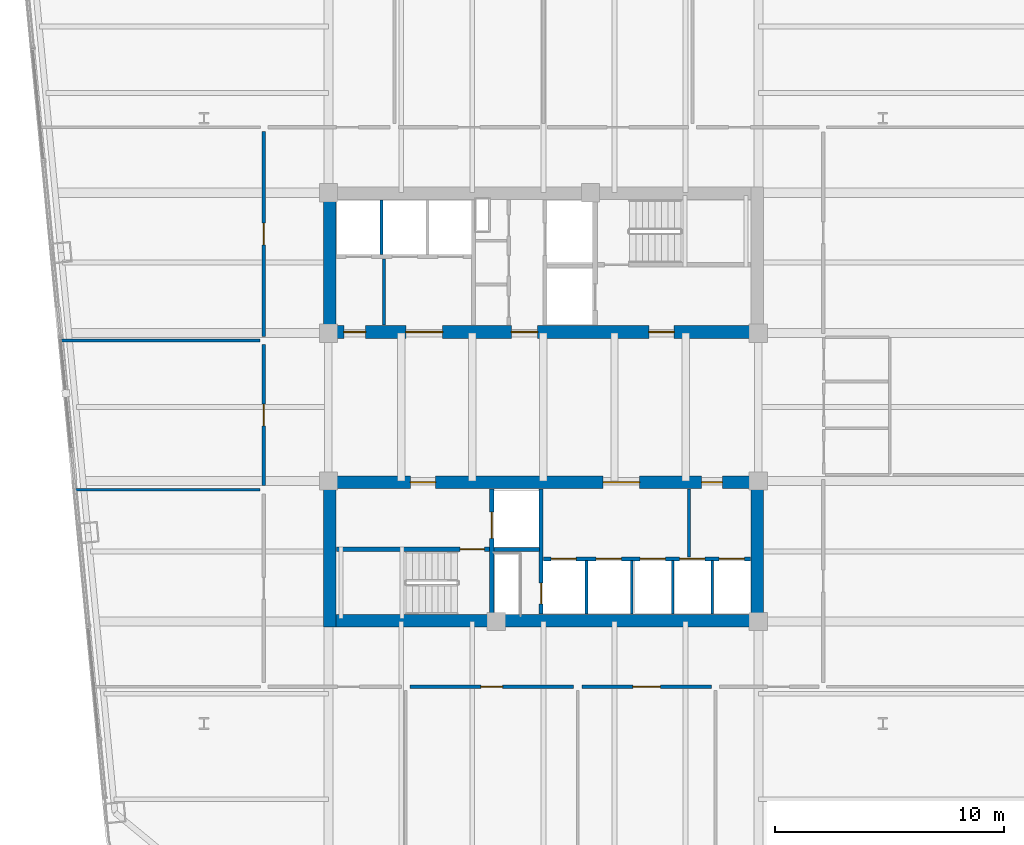
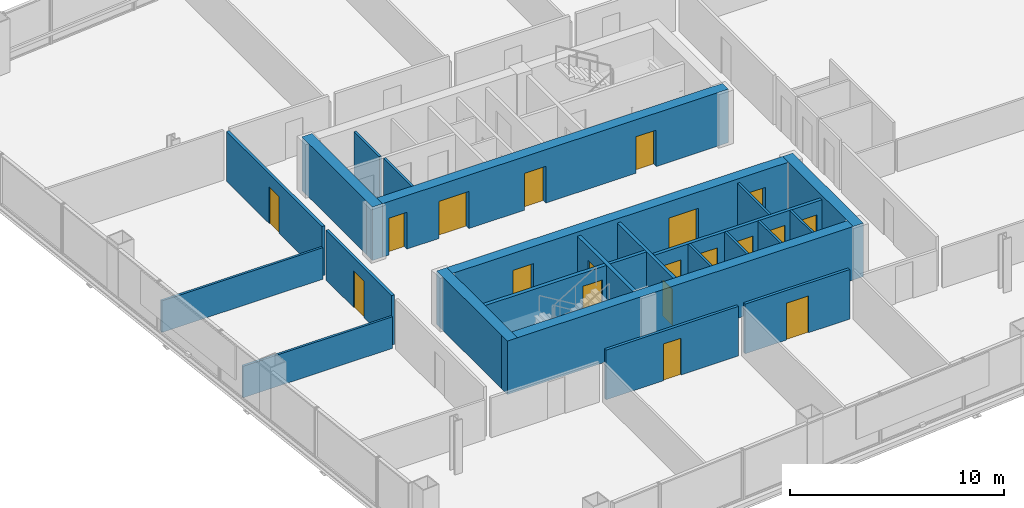
# One storey, part 27 of 32: 24 walls, 19 doors, 19 openings.
"""IFC4 building model written with IfcOpenShell, lengths in metres."""

from ifc_helpers import new_model, si_unit, direction, frame, frame_2d, origin, place, context, subcontext, project, spatial, rectangle, extrude, material, layer, layer_set, type_object, element, fill, save


model = new_model("IFC4")

# Units and contexts
model_context = context("Model", 3, precision=1e-05, world=origin(), true_north=direction((0.0, 1.0)))
body_context = subcontext(model_context, "Body", "Model", "MODEL_VIEW")
ifc_project = project(units=[si_unit("LENGTHUNIT", "METRE"), si_unit("AREAUNIT", "SQUARE_METRE"), si_unit("VOLUMEUNIT", "CUBIC_METRE"), si_unit("PLANEANGLEUNIT", "RADIAN"), si_unit("MASSUNIT", "GRAM", prefix="KILO")], contexts=[model_context])

# Site, building, storey
site_placement = place(None, origin())
site = spatial("IfcSite", under=ifc_project, at=site_placement, CompositionType="ELEMENT")
building_placement = place(site_placement, origin())
building = spatial("IfcBuilding", under=site, at=building_placement, Name="Qhalaya Broadcast Tower", CompositionType="ELEMENT")
storey_placement = place(building_placement, frame((0.0, 0.0, 87.75)))
storey = spatial("IfcBuildingStorey", under=building, at=storey_placement, Name="L25", CompositionType="ELEMENT", Elevation=87.75)

# Wall, opening, door
ifc_material_1 = material(Name="Gypsum Acoustic Partition")
ifc_layer_1 = layer(ifc_material_1, 0.14990234375, Name="Gypsum Acoustic Partition")
ifc_layer_set_1 = layer_set([ifc_layer_1], Name="Gypsum Acoustic Partition")
wall_type_1 = type_object("IfcWallType", Name="Corridor & Tenancy Acoustic Partition 150", PredefinedType="PARTITIONING", material=ifc_layer_set_1)
wall_1_placement = place(storey_placement, frame((-5.820068359375, -11.60009765625, 0.0), z_axis=(0.0, 0.0, 1.0), x_axis=(1.0, 0.0, 0.0)))
wall_1 = element("IfcWall", 1, at=wall_1_placement, inside=storey, type_object=wall_type_1, Name="L25 Partition Wall W-COR-06", PredefinedType="PARTITIONING", context=body_context, shape_type="SweptSolid", body=[
    extrude(rectangle(XDim=7.14013671875, YDim=0.14990234375, at=frame_2d((3.570068359375, 0.0))), origin(), (0.0, 0.0, 1.0), 2.830078125),
])
opening_1_placement = place(wall_1_placement, frame((3.094970703125, 0.0, 0.0)))
opening_1 = element("IfcOpeningElement", 2, at=opening_1_placement, cuts=wall_1, Name="Opening D10", PredefinedType="OPENING", context=body_context, shape_type="SweptSolid", body=[
    extrude(rectangle(XDim=0.949951171875, YDim=2.10009765625, at=frame_2d((0.47509765625, 1.050048828125))), frame((0.0, 0.0869140625, 0.0), z_axis=(0.0, -1.0, 0.0), x_axis=(1.0, 0.0, 0.0)), (0.0, 0.0, 1.0), 0.173828125),
])
ifc_material_2 = material(Name="Timber Veneer Acoustic Door", Category="wood")
door_type_1 = type_object("IfcDoorType", Name="Cellular Office & Edit Booth Door D10", OperationType="NOTDEFINED", PredefinedType="DOOR", material=ifc_material_2)
door_1_placement = place(opening_1_placement, origin())
door_1 = element("IfcDoor", 3, at=door_1_placement, inside=storey, type_object=door_type_1, Name="L25 Door D-RM06", OperationType="SINGLE_SWING_RIGHT", OverallHeight=2.10009765625, OverallWidth=0.949951171875, PredefinedType="DOOR", context=body_context, shape_type="SweptSolid", body=[
    extrude(rectangle(XDim=0.949951171875, YDim=2.10009765625, at=frame_2d((0.47509765625, 1.050048828125))), frame((0.0, 0.02490234375, 0.0), z_axis=(0.0, -1.0, 0.0), x_axis=(1.0, 0.0, 0.0)), (0.0, 0.0, 1.0), 0.050048828125),
])
fill(opening_1, door_1)

wall_2_placement = place(storey_placement, frame((1.679931640625, -11.60009765625, 0.0), z_axis=(0.0, 0.0, 1.0), x_axis=(1.0, 0.0, 0.0)))
wall_2 = element("IfcWall", 4, at=wall_2_placement, inside=storey, type_object=wall_type_1, Name="L25 Partition Wall W-COR-07", PredefinedType="PARTITIONING", context=body_context, shape_type="SweptSolid", body=[
    extrude(rectangle(XDim=5.64013671875, YDim=0.14990234375, at=frame_2d((2.820068359375, 0.0))), origin(), (0.0, 0.0, 1.0), 2.830078125),
])
opening_2_placement = place(wall_2_placement, frame((2.219970703125, 0.0, 0.0)))
opening_2 = element("IfcOpeningElement", 5, at=opening_2_placement, cuts=wall_2, Name="Opening D11", PredefinedType="OPENING", context=body_context, shape_type="SweptSolid", body=[
    extrude(rectangle(XDim=1.199951171875, YDim=2.10009765625, at=frame_2d((0.60009765625, 1.050048828125))), frame((0.0, 0.0869140625, 0.0), z_axis=(0.0, -1.0, 0.0), x_axis=(1.0, 0.0, 0.0)), (0.0, 0.0, 1.0), 0.173828125),
])
ifc_material_3 = material(Name="Anodised Aluminium Glazed Door", Category="aluminium")
door_type_2 = type_object("IfcDoorType", Name="Conference, Boardroom & Studio Control Door D11", OperationType="NOTDEFINED", PredefinedType="DOOR", material=ifc_material_3)
door_2_placement = place(opening_2_placement, origin())
door_2 = element("IfcDoor", 6, at=door_2_placement, inside=storey, type_object=door_type_2, Name="L25 Door D-RM07", OperationType="SINGLE_SWING_LEFT", OverallHeight=2.10009765625, OverallWidth=1.199951171875, PredefinedType="DOOR", context=body_context, shape_type="SweptSolid", body=[
    extrude(rectangle(XDim=1.199951171875, YDim=2.10009765625, at=frame_2d((0.60009765625, 1.050048828125))), frame((0.0, 0.02490234375, 0.0), z_axis=(0.0, -1.0, 0.0), x_axis=(1.0, 0.0, 0.0)), (0.0, 0.0, 1.0), 0.050048828125),
])
fill(opening_2, door_2)

wall_3_placement = place(storey_placement, frame((-12.199951171875, -2.820068359375, 0.0), z_axis=(0.0, 0.0, 1.0), x_axis=(0.0, 1.0, 0.0)))
wall_3 = element("IfcWall", 7, at=wall_3_placement, inside=storey, type_object=wall_type_1, Name="L25 Partition Wall W-COR-10", PredefinedType="PARTITIONING", context=body_context, shape_type="SweptSolid", body=[
    extrude(rectangle(XDim=6.14013671875, YDim=0.14990234375, at=frame_2d((3.070068359375, 0.0))), origin(), (0.0, 0.0, 1.0), 2.830078125),
])
opening_3_placement = place(wall_3_placement, frame((2.594970703125, 0.0, 0.0)))
opening_3 = element("IfcOpeningElement", 8, at=opening_3_placement, cuts=wall_3, Name="Opening D10", PredefinedType="OPENING", context=body_context, shape_type="SweptSolid", body=[
    extrude(rectangle(XDim=0.949951171875, YDim=2.10009765625, at=frame_2d((0.47509765625, 1.050048828125))), frame((0.0, 0.0869140625, 0.0), z_axis=(0.0, -1.0, 0.0), x_axis=(1.0, 0.0, 0.0)), (0.0, 0.0, 1.0), 0.173828125),
])
door_3_placement = place(opening_3_placement, origin())
door_3 = element("IfcDoor", 9, at=door_3_placement, inside=storey, type_object=door_type_1, Name="L25 Door D-RM10", OperationType="SINGLE_SWING_RIGHT", OverallHeight=2.10009765625, OverallWidth=0.949951171875, PredefinedType="DOOR", context=body_context, shape_type="SweptSolid", body=[
    extrude(rectangle(XDim=0.949951171875, YDim=2.10009765625, at=frame_2d((0.47509765625, 1.050048828125))), frame((0.0, 0.02490234375, 0.0), z_axis=(0.0, -1.0, 0.0), x_axis=(1.0, 0.0, 0.0)), (0.0, 0.0, 1.0), 0.050048828125),
])
fill(opening_3, door_3)

wall_4_placement = place(storey_placement, frame((-12.199951171875, 3.679931640625, 0.0), z_axis=(0.0, 0.0, 1.0), x_axis=(0.0, 1.0, 0.0)))
wall_4 = element("IfcWall", 10, at=wall_4_placement, inside=storey, type_object=wall_type_1, Name="L25 Partition Wall W-COR-11", PredefinedType="PARTITIONING", context=body_context, shape_type="SweptSolid", body=[
    extrude(rectangle(XDim=8.940185546875, YDim=0.14990234375, at=frame_2d((4.47021484375, 0.0))), origin(), (0.0, 0.0, 1.0), 2.830078125),
])
opening_4_placement = place(wall_4_placement, frame((3.9951171875, 0.0, 0.0)))
opening_4 = element("IfcOpeningElement", 11, at=opening_4_placement, cuts=wall_4, Name="Opening D10", PredefinedType="OPENING", context=body_context, shape_type="SweptSolid", body=[
    extrude(rectangle(XDim=0.949951171875, YDim=2.10009765625, at=frame_2d((0.47509765625, 1.050048828125))), frame((0.0, 0.0869140625, 0.0), z_axis=(0.0, -1.0, 0.0), x_axis=(1.0, 0.0, 0.0)), (0.0, 0.0, 1.0), 0.173828125),
])
door_4_placement = place(opening_4_placement, origin())
door_4 = element("IfcDoor", 12, at=door_4_placement, inside=storey, type_object=door_type_1, Name="L25 Door D-RM11", OperationType="SINGLE_SWING_LEFT", OverallHeight=2.10009765625, OverallWidth=0.949951171875, PredefinedType="DOOR", context=body_context, shape_type="SweptSolid", body=[
    extrude(rectangle(XDim=0.949951171875, YDim=2.10009765625, at=frame_2d((0.47509765625, 1.050048828125))), frame((0.0, 0.02490234375, 0.0), z_axis=(0.0, -1.0, 0.0), x_axis=(1.0, 0.0, 0.0)), (0.0, 0.0, 1.0), 0.050048828125),
])
fill(opening_4, door_4)

ifc_material_4 = material(Name="Concrete C50/60", Category="concrete")
ifc_layer_2 = layer(ifc_material_4, 0.199951171875, Name="Concrete C50/60")
ifc_layer_set_2 = layer_set([ifc_layer_2], Name="Concrete C50/60")
wall_type_2 = type_object("IfcWallType", Name="Load-Bearing Stair Shaft Wall 200", PredefinedType="SHEAR", material=ifc_layer_set_2)
wall_5_placement = place(storey_placement, frame((-9.030029296875, -5.60498046875, 0.0), z_axis=(0.0, 0.0, 1.0), x_axis=(1.0, 0.0, 0.0)))
wall_5 = element("IfcWall", 13, at=wall_5_placement, inside=storey, type_object=wall_type_2, Name="L25 Stair Core Shear Wall SCW-ST2", PredefinedType="SHEAR", context=body_context, shape_type="SweptSolid", body=[
    extrude(rectangle(XDim=6.669921875, YDim=0.199951171875, at=frame_2d((3.3349609375, 0.0))), origin(), (0.0, 0.0, 1.0), 2.830078125),
])
opening_5_placement = place(wall_5_placement, frame((5.39990234375, 0.0, 0.0)))
opening_5 = element("IfcOpeningElement", 14, at=opening_5_placement, cuts=wall_5, Name="Opening D03", PredefinedType="OPENING", context=body_context, shape_type="SweptSolid", body=[
    extrude(rectangle(XDim=1.050048828125, YDim=2.080078125, at=frame_2d((0.52490234375, 1.0400390625))), frame((0.0, 0.112060546875, 0.0), z_axis=(0.0, -1.0, 0.0), x_axis=(1.0, 0.0, 0.0)), (0.0, 0.0, 1.0), 0.223876953125),
])
ifc_material_5 = material(Name="Fire-Rated Steel Door", Category="steel")
door_type_3 = type_object("IfcDoorType", Name="Core Stair Protected Fire Door D03", OperationType="NOTDEFINED", PredefinedType="DOOR", material=ifc_material_5)
door_5_placement = place(opening_5_placement, origin())
door_5 = element("IfcDoor", 15, at=door_5_placement, inside=storey, type_object=door_type_3, Name="L25 Door D-SST2", OperationType="SINGLE_SWING_RIGHT", OverallHeight=2.080078125, OverallWidth=1.050048828125, PredefinedType="DOOR", context=body_context, shape_type="SweptSolid", body=[
    extrude(rectangle(XDim=1.050048828125, YDim=2.080078125, at=frame_2d((0.52490234375, 1.0400390625))), frame((0.0, 0.02490234375, 0.0), z_axis=(0.0, -1.0, 0.0), x_axis=(1.0, 0.0, 0.0)), (0.0, 0.0, 1.0), 0.050048828125),
])
fill(opening_5, door_5)

wall_6_placement = place(storey_placement, frame((-2.25, -8.429931640625, 0.0), z_axis=(0.0, 0.0, 1.0), x_axis=(0.0, 1.0, 0.0)))
wall_6 = element("IfcWall", 16, at=wall_6_placement, inside=storey, type_object=wall_type_2, Name="L25 Stair Core Shear Wall SCW-FF", PredefinedType="SHEAR", context=body_context, shape_type="SweptSolid", body=[
    extrude(rectangle(XDim=5.4599609375, YDim=0.199951171875, at=frame_2d((2.72998046875, 0.0))), origin(), (0.0, 0.0, 1.0), 2.830078125),
])
opening_6_placement = place(wall_6_placement, frame((3.300048828125, 0.0, 0.0)))
opening_6 = element("IfcOpeningElement", 17, at=opening_6_placement, cuts=wall_6, Name="Opening LD2", PredefinedType="OPENING", context=body_context, shape_type="SweptSolid", body=[
    extrude(rectangle(XDim=1.14990234375, YDim=2.080078125, at=frame_2d((0.574951171875, 1.0400390625))), frame((0.0, 0.112060546875, 0.0), z_axis=(0.0, -1.0, 0.0), x_axis=(1.0, 0.0, 0.0)), (0.0, 0.0, 1.0), 0.223876953125),
])
ifc_material_6 = material(Name="Brushed Stainless Steel Lift Door", Category="steel")
door_type_4 = type_object("IfcDoorType", Name="Firefighting Lift Sliding Landing Door LD2", OperationType="DOUBLE_DOOR_SLIDING", PredefinedType="DOOR", material=ifc_material_6)
door_6_placement = place(opening_6_placement, origin())
door_6 = element("IfcDoor", 18, at=door_6_placement, inside=storey, type_object=door_type_4, Name="L25 Door LD-FF2", OperationType="DOUBLE_DOOR_SLIDING", OverallHeight=2.080078125, OverallWidth=1.14990234375, PredefinedType="DOOR", context=body_context, shape_type="SweptSolid", body=[
    extrude(rectangle(XDim=1.14990234375, YDim=2.080078125, at=frame_2d((0.574951171875, 1.0400390625))), frame((0.0, 0.02490234375, 0.0), z_axis=(0.0, -1.0, 0.0), x_axis=(1.0, 0.0, 0.0)), (0.0, 0.0, 1.0), 0.050048828125),
])
fill(opening_6, door_6)

# Wall, openings, doors
ifc_material_7 = material(Name="Concrete C60/75", Category="concrete")
ifc_layer_3 = layer(ifc_material_7, 0.550048828125, Name="Concrete C60/75")
ifc_layer_set_3 = layer_set([ifc_layer_3], Name="Concrete C60/75")
wall_type_3 = type_object("IfcWallType", Name="Lower Split-Core Shear Wall 550", PredefinedType="SHEAR", material=ifc_layer_set_3)
wall_7_placement = place(storey_placement, frame((-9.60009765625, 3.875, 0.0), z_axis=(0.0, 0.0, 1.0), x_axis=(1.0, 0.0, 0.0)))
wall_7 = element("IfcWall", 19, at=wall_7_placement, inside=storey, type_object=wall_type_3, Name="L25 Split-Core Shear Wall CW-NS", PredefinedType="SHEAR", context=body_context, shape_type="SweptSolid", body=[
    extrude(rectangle(XDim=19.2001953125, YDim=0.550048828125, at=frame_2d((9.60009765625, 0.0))), origin(), (0.0, 0.0, 1.0), 3.050048828125),
])
opening_7_placement = place(wall_7_placement, frame((14.199951171875, 0.0, 0.0)))
opening_7 = element("IfcOpeningElement", 20, at=opening_7_placement, cuts=wall_7, Name="Opening D04", PredefinedType="OPENING", context=body_context, shape_type="SweptSolid", body=[
    extrude(rectangle(XDim=1.10009765625, YDim=2.080078125, at=frame_2d((0.550048828125, 1.0400390625))), frame((0.0, 0.287109375, 0.0), z_axis=(0.0, -1.0, 0.0), x_axis=(1.0, 0.0, 0.0)), (0.0, 0.0, 1.0), 0.573974609375),
])
opening_8_placement = place(wall_7_placement, frame((8.199951171875, 0.0, 0.0)))
opening_8 = element("IfcOpeningElement", 21, at=opening_8_placement, cuts=wall_7, Name="Opening D05", PredefinedType="OPENING", context=body_context, shape_type="SweptSolid", body=[
    extrude(rectangle(XDim=1.14990234375, YDim=2.10009765625, at=frame_2d((0.574951171875, 1.050048828125))), frame((0.0, 0.287109375, 0.0), z_axis=(0.0, -1.0, 0.0), x_axis=(1.0, 0.0, 0.0)), (0.0, 0.0, 1.0), 0.573974609375),
])
opening_9_placement = place(wall_7_placement, frame((0.89990234375, 0.0, 0.0)))
opening_9 = element("IfcOpeningElement", 22, at=opening_9_placement, cuts=wall_7, Name="Opening D10", PredefinedType="OPENING", context=body_context, shape_type="SweptSolid", body=[
    extrude(rectangle(XDim=0.949951171875, YDim=2.10009765625, at=frame_2d((0.47509765625, 1.050048828125))), frame((0.0, 0.287109375, 0.0), z_axis=(0.0, -1.0, 0.0), x_axis=(1.0, 0.0, 0.0)), (0.0, 0.0, 1.0), 0.573974609375),
])
opening_10_placement = place(wall_7_placement, frame((3.60009765625, 0.0, 0.0)))
opening_10 = element("IfcOpeningElement", 23, at=opening_10_placement, cuts=wall_7, Name="Opening D07", PredefinedType="OPENING", context=body_context, shape_type="SweptSolid", body=[
    extrude(rectangle(XDim=1.60009765625, YDim=2.1201171875, at=frame_2d((0.800048828125, 1.06005859375))), frame((0.0, 0.287109375, 0.0), z_axis=(0.0, -1.0, 0.0), x_axis=(1.0, 0.0, 0.0)), (0.0, 0.0, 1.0), 0.573974609375),
])
door_7_placement = place(opening_9_placement, origin())
door_7 = element("IfcDoor", 24, at=door_7_placement, inside=storey, type_object=door_type_1, Name="L25 Door D-NLPNT", OperationType="SINGLE_SWING_RIGHT", OverallHeight=2.10009765625, OverallWidth=0.949951171875, PredefinedType="DOOR", context=body_context, shape_type="SweptSolid", body=[
    extrude(rectangle(XDim=0.949951171875, YDim=2.10009765625, at=frame_2d((0.47509765625, 1.050048828125))), frame((0.0, 0.02490234375, 0.0), z_axis=(0.0, -1.0, 0.0), x_axis=(1.0, 0.0, 0.0)), (0.0, 0.0, 1.0), 0.050048828125),
])
fill(opening_9, door_7)
door_type_5 = type_object("IfcDoorType", Name="Firefighting Lobby Rated Door D04", OperationType="NOTDEFINED", PredefinedType="DOOR", material=ifc_material_5)
door_8_placement = place(opening_7_placement, origin())
door_8 = element("IfcDoor", 25, at=door_8_placement, inside=storey, type_object=door_type_5, Name="L25 Door D-NFF", OperationType="SINGLE_SWING_RIGHT", OverallHeight=2.080078125, OverallWidth=1.10009765625, PredefinedType="DOOR", context=body_context, shape_type="SweptSolid", body=[
    extrude(rectangle(XDim=1.10009765625, YDim=2.080078125, at=frame_2d((0.550048828125, 1.0400390625))), frame((0.0, 0.02490234375, 0.0), z_axis=(0.0, -1.0, 0.0), x_axis=(1.0, 0.0, 0.0)), (0.0, 0.0, 1.0), 0.050048828125),
])
fill(opening_7, door_8)
door_type_6 = type_object("IfcDoorType", Name="Passenger Lift Lobby Double Glazed Door D07", OperationType="DOUBLE_DOOR_SINGLE_SWING", PredefinedType="DOOR", material=ifc_material_3)
door_9_placement = place(opening_10_placement, origin())
door_9 = element("IfcDoor", 26, at=door_9_placement, inside=storey, type_object=door_type_6, Name="L25 Door D-NPLL", OperationType="DOUBLE_DOOR_SINGLE_SWING", OverallHeight=2.1201171875, OverallWidth=1.60009765625, PredefinedType="DOOR", context=body_context, shape_type="SweptSolid", body=[
    extrude(rectangle(XDim=1.60009765625, YDim=2.1201171875, at=frame_2d((0.800048828125, 1.06005859375))), frame((0.0, 0.02490234375, 0.0), z_axis=(0.0, -1.0, 0.0), x_axis=(1.0, 0.0, 0.0)), (0.0, 0.0, 1.0), 0.050048828125),
])
fill(opening_10, door_9)
door_type_7 = type_object("IfcDoorType", Name="Refuge & Plant Room Fire Door D05", OperationType="NOTDEFINED", PredefinedType="DOOR", material=ifc_material_5)
door_10_placement = place(opening_8_placement, origin())
door_10 = element("IfcDoor", 27, at=door_10_placement, inside=storey, type_object=door_type_7, Name="L25 Door D-NSVL", OperationType="SINGLE_SWING_LEFT", OverallHeight=2.10009765625, OverallWidth=1.14990234375, PredefinedType="DOOR", context=body_context, shape_type="SweptSolid", body=[
    extrude(rectangle(XDim=1.14990234375, YDim=2.10009765625, at=frame_2d((0.574951171875, 1.050048828125))), frame((0.0, 0.02490234375, 0.0), z_axis=(0.0, -1.0, 0.0), x_axis=(1.0, 0.0, 0.0)), (0.0, 0.0, 1.0), 0.050048828125),
])
fill(opening_8, door_10)

# Walls
wall_8_placement = place(storey_placement, frame((-9.324951171875, 3.60009765625, 0.0), z_axis=(0.0, 0.0, 1.0), x_axis=(0.0, 1.0, 0.0)))
element("IfcWall", 28, at=wall_8_placement, inside=storey, type_object=wall_type_3, Name="L25 Split-Core Shear Wall CW-NW", PredefinedType="SHEAR", context=body_context, shape_type="SweptSolid", body=[
    extrude(rectangle(XDim=6.599853515625, YDim=0.550048828125, at=frame_2d((3.2998046875, 0.0))), origin(), (0.0, 0.0, 1.0), 3.050048828125),
])
wall_9_placement = place(storey_placement, frame((-9.60009765625, -8.72509765625, 0.0), z_axis=(0.0, 0.0, 1.0), x_axis=(1.0, 0.0, 0.0)))
element("IfcWall", 29, at=wall_9_placement, inside=storey, type_object=wall_type_3, Name="L25 Split-Core Shear Wall CW-SS", PredefinedType="SHEAR", context=body_context, shape_type="SweptSolid", body=[
    extrude(rectangle(XDim=19.2001953125, YDim=0.550048828125, at=frame_2d((9.60009765625, 0.0))), origin(), (0.0, 0.0, 1.0), 3.050048828125),
])

# Wall, openings, doors
wall_10_placement = place(storey_placement, frame((-9.60009765625, -2.675048828125, 0.0), z_axis=(0.0, 0.0, 1.0), x_axis=(1.0, 0.0, 0.0)))
wall_10 = element("IfcWall", 30, at=wall_10_placement, inside=storey, type_object=wall_type_3, Name="L25 Split-Core Shear Wall CW-SN", PredefinedType="SHEAR", context=body_context, shape_type="SweptSolid", body=[
    extrude(rectangle(XDim=19.2001953125, YDim=0.550048828125, at=frame_2d((9.60009765625, 0.0))), origin(), (0.0, 0.0, 1.0), 3.050048828125),
])
opening_11_placement = place(wall_10_placement, frame((3.800048828125, 0.0, 0.0)))
opening_11 = element("IfcOpeningElement", 31, at=opening_11_placement, cuts=wall_10, Name="Opening D04", PredefinedType="OPENING", context=body_context, shape_type="SweptSolid", body=[
    extrude(rectangle(XDim=1.10009765625, YDim=2.080078125, at=frame_2d((0.550048828125, 1.0400390625))), frame((0.0, 0.287109375, 0.0), z_axis=(0.0, -1.0, 0.0), x_axis=(1.0, 0.0, 0.0)), (0.0, 0.0, 1.0), 0.573974609375),
])
opening_12_placement = place(wall_10_placement, frame((12.199951171875, 0.0, 0.0)))
opening_12 = element("IfcOpeningElement", 32, at=opening_12_placement, cuts=wall_10, Name="Opening D07", PredefinedType="OPENING", context=body_context, shape_type="SweptSolid", body=[
    extrude(rectangle(XDim=1.60009765625, YDim=2.1201171875, at=frame_2d((0.800048828125, 1.06005859375))), frame((0.0, 0.287109375, 0.0), z_axis=(0.0, -1.0, 0.0), x_axis=(1.0, 0.0, 0.0)), (0.0, 0.0, 1.0), 0.573974609375),
])
opening_13_placement = place(wall_10_placement, frame((16.5, 0.0, 0.0)))
opening_13 = element("IfcOpeningElement", 33, at=opening_13_placement, cuts=wall_10, Name="Opening D06", PredefinedType="OPENING", context=body_context, shape_type="SweptSolid", body=[
    extrude(rectangle(XDim=0.89990234375, YDim=2.050048828125, at=frame_2d((0.449951171875, 1.02490234375))), frame((0.0, 0.287109375, 0.0), z_axis=(0.0, -1.0, 0.0), x_axis=(1.0, 0.0, 0.0)), (0.0, 0.0, 1.0), 0.573974609375),
])
door_11_placement = place(opening_11_placement, origin())
door_11 = element("IfcDoor", 34, at=door_11_placement, inside=storey, type_object=door_type_5, Name="L25 Door D-SFF", OperationType="SINGLE_SWING_LEFT", OverallHeight=2.080078125, OverallWidth=1.10009765625, PredefinedType="DOOR", context=body_context, shape_type="SweptSolid", body=[
    extrude(rectangle(XDim=1.10009765625, YDim=2.080078125, at=frame_2d((0.550048828125, 1.0400390625))), frame((0.0, 0.02490234375, 0.0), z_axis=(0.0, -1.0, 0.0), x_axis=(1.0, 0.0, 0.0)), (0.0, 0.0, 1.0), 0.050048828125),
])
fill(opening_11, door_11)
door_12_placement = place(opening_12_placement, origin())
door_12 = element("IfcDoor", 35, at=door_12_placement, inside=storey, type_object=door_type_6, Name="L25 Door D-SPLL", OperationType="DOUBLE_DOOR_SINGLE_SWING", OverallHeight=2.1201171875, OverallWidth=1.60009765625, PredefinedType="DOOR", context=body_context, shape_type="SweptSolid", body=[
    extrude(rectangle(XDim=1.60009765625, YDim=2.1201171875, at=frame_2d((0.800048828125, 1.06005859375))), frame((0.0, 0.02490234375, 0.0), z_axis=(0.0, -1.0, 0.0), x_axis=(1.0, 0.0, 0.0)), (0.0, 0.0, 1.0), 0.050048828125),
])
fill(opening_12, door_12)
door_type_8 = type_object("IfcDoorType", Name="Riser & Electrical Shaft Access Door D06", OperationType="NOTDEFINED", PredefinedType="DOOR", material=ifc_material_5)
door_13_placement = place(opening_13_placement, origin())
door_13 = element("IfcDoor", 36, at=door_13_placement, inside=storey, type_object=door_type_8, Name="L25 Door D-SSCST", OperationType="SINGLE_SWING_LEFT", OverallHeight=2.050048828125, OverallWidth=0.89990234375, PredefinedType="DOOR", context=body_context, shape_type="SweptSolid", body=[
    extrude(rectangle(XDim=0.89990234375, YDim=2.050048828125, at=frame_2d((0.449951171875, 1.02490234375))), frame((0.0, 0.02490234375, 0.0), z_axis=(0.0, -1.0, 0.0), x_axis=(1.0, 0.0, 0.0)), (0.0, 0.0, 1.0), 0.050048828125),
])
fill(opening_13, door_13)

# Walls
for number, where, z_axis, x_axis, name in (
    (37, (-9.324951171875, -9.0, 0.0), (0.0, 0.0, 1.0), (0.0, 1.0, 0.0), "L25 Split-Core Shear Wall CW-SW"),
    (38, (9.324951171875, -9.0, 0.0), (0.0, 0.0, 1.0), (0.0, 1.0, 0.0), "L25 Split-Core Shear Wall CW-SE"),
):
    element("IfcWall", number, at=place(storey_placement, frame(where, z_axis=z_axis, x_axis=x_axis)), inside=storey, type_object=wall_type_3, Name=name, PredefinedType="SHEAR", context=body_context, shape_type="SweptSolid", body=[
        extrude(rectangle(XDim=6.60009765625, YDim=0.550048828125, at=frame_2d((3.300048828125, 0.0))), origin(), (0.0, 0.0, 1.0), 3.050048828125),
    ])
ifc_layer_4 = layer(ifc_material_1, 0.1201171875, Name="Gypsum Acoustic Partition")
ifc_layer_set_4 = layer_set([ifc_layer_4], Name="Gypsum Acoustic Partition")
wall_type_4 = type_object("IfcWallType", Name="Office, Booth & Sanitary Partition 120", PredefinedType="PARTITIONING", material=ifc_layer_set_4)
wall_11_placement = place(storey_placement, frame((-7.06005859375, 7.25, 0.0), z_axis=(0.0, 0.0, 1.0), x_axis=(0.0, 1.0, 0.0)))
element("IfcWall", 39, at=wall_11_placement, inside=storey, type_object=wall_type_4, Name="L25 Partition Wall NCW-PD1", PredefinedType="PARTITIONING", context=body_context, shape_type="SweptSolid", body=[
    extrude(rectangle(XDim=2.3798828125, YDim=0.1201171875, at=frame_2d((1.18994140625, 0.0))), origin(), (0.0, 0.0, 1.0), 2.830078125),
])
wall_12_placement = place(storey_placement, frame((-6.949951171875, 4.169921875, 0.0), z_axis=(0.0, 0.0, 1.0), x_axis=(0.0, 1.0, 0.0)))
element("IfcWall", 40, at=wall_12_placement, inside=storey, type_object=wall_type_4, Name="L25 Partition Wall NCW-LKB", PredefinedType="PARTITIONING", context=body_context, shape_type="SweptSolid", body=[
    extrude(rectangle(XDim=2.89013671875, YDim=0.1201171875, at=frame_2d((1.445068359375, 0.0))), origin(), (0.0, 0.0, 1.0), 2.830078125),
])
for number, where, z_axis, x_axis, name in (
    (41, (1.8798828125, -8.429931640625, 0.0), (0.0, 0.0, 1.0), (0.0, 1.0, 0.0), "L25 Partition Wall SCW-MD4"),
    (42, (3.85009765625, -8.429931640625, 0.0), (0.0, 0.0, 1.0), (0.0, 1.0, 0.0), "L25 Partition Wall SCW-MD5"),
    (43, (5.639892578125, -8.429931640625, 0.0), (0.0, 0.0, 1.0), (0.0, 1.0, 0.0), "L25 Partition Wall SCW-HD6"),
    (44, (7.360107421875, -8.429931640625, 0.0), (0.0, 0.0, 1.0), (0.0, 1.0, 0.0), "L25 Partition Wall SCW-HD7"),
):
    element("IfcWall", number, at=place(storey_placement, frame(where, z_axis=z_axis, x_axis=x_axis)), inside=storey, type_object=wall_type_4, Name=name, PredefinedType="PARTITIONING", context=body_context, shape_type="SweptSolid", body=[
        extrude(rectangle(XDim=2.329833984375, YDim=0.1201171875, at=frame_2d((1.1650390625, 0.0))), origin(), (0.0, 0.0, 1.0), 2.830078125),
    ])
wall_13_placement = place(storey_placement, frame((6.35009765625, -5.93994140625, 0.0), z_axis=(0.0, 0.0, 1.0), x_axis=(0.0, 1.0, 0.0)))
element("IfcWall", 45, at=wall_13_placement, inside=storey, type_object=wall_type_4, Name="L25 Partition Wall SCW-LKB", PredefinedType="PARTITIONING", context=body_context, shape_type="SweptSolid", body=[
    extrude(rectangle(XDim=2.969970703125, YDim=0.1201171875, at=frame_2d((1.48486328125, 0.0))), origin(), (0.0, 0.0, 1.0), 2.830078125),
])
wall_14_placement = place(storey_placement, frame((-20.423583984375, -3.0, 0.0), z_axis=(0.0, 0.0, 1.0), x_axis=(1.0, 0.0, 0.0)))
element("IfcWall", 46, at=wall_14_placement, inside=storey, type_object=wall_type_4, Name="L25 Partition Wall W-DIVW1", PredefinedType="PARTITIONING", context=body_context, shape_type="SweptSolid", body=[
    extrude(rectangle(XDim=8.0634765625, YDim=0.1201171875, at=frame_2d((4.03173828125, 0.0))), origin(), (0.0, 0.0, 1.0), 1.799072265625),
])
wall_15_placement = place(storey_placement, frame((-21.04931640625, 3.5, 0.0), z_axis=(0.0, 0.0, 1.0), x_axis=(1.0, 0.0, 0.0)))
element("IfcWall", 47, at=wall_15_placement, inside=storey, type_object=wall_type_4, Name="L25 Partition Wall W-DIVW2", PredefinedType="PARTITIONING", context=body_context, shape_type="SweptSolid", body=[
    extrude(rectangle(XDim=8.689208984375, YDim=0.1201171875, at=frame_2d((4.3447265625, 0.0))), origin(), (0.0, 0.0, 1.0), 1.799072265625),
])

# Wall, opening, door
ifc_layer_5 = layer(ifc_material_1, 0.175048828125, Name="Gypsum Acoustic Partition")
ifc_layer_set_5 = layer_set([ifc_layer_5], Name="Gypsum Acoustic Partition")
wall_type_5 = type_object("IfcWallType", Name="Shaft & Riser Fire Partition 175", PredefinedType="PARTITIONING", material=ifc_layer_set_5)
wall_16_placement = place(storey_placement, frame((-0.10009765625, -8.429931640625, 0.0), z_axis=(0.0, 0.0, 1.0), x_axis=(0.0, 1.0, 0.0)))
wall_16 = element("IfcWall", 48, at=wall_16_placement, inside=storey, type_object=wall_type_5, Name="L25 Partition Wall SCW-FFE", PredefinedType="PARTITIONING", context=body_context, shape_type="SweptSolid", body=[
    extrude(rectangle(XDim=5.4599609375, YDim=0.175048828125, at=frame_2d((2.72998046875, 0.0))), origin(), (0.0, 0.0, 1.0), 2.830078125),
])
opening_14_placement = place(wall_16_placement, frame((0.449951171875, 0.0, 0.0)))
opening_14 = element("IfcOpeningElement", 49, at=opening_14_placement, cuts=wall_16, Name="Opening D06", PredefinedType="OPENING", context=body_context, shape_type="SweptSolid", body=[
    extrude(rectangle(XDim=0.89990234375, YDim=2.050048828125, at=frame_2d((0.449951171875, 1.02490234375))), frame((0.0, 0.099609375, 0.0), z_axis=(0.0, -1.0, 0.0), x_axis=(1.0, 0.0, 0.0)), (0.0, 0.0, 1.0), 0.198974609375),
])
door_14_placement = place(opening_14_placement, origin())
door_14 = element("IfcDoor", 50, at=door_14_placement, inside=storey, type_object=door_type_8, Name="L25 Riser Shaft Access Door D-SRSR", OperationType="SINGLE_SWING_LEFT", OverallHeight=2.050048828125, OverallWidth=0.89990234375, PredefinedType="DOOR", context=body_context, shape_type="SweptSolid", body=[
    extrude(rectangle(XDim=0.89990234375, YDim=2.050048828125, at=frame_2d((0.449951171875, 1.02490234375))), frame((0.0, 0.02490234375, 0.0), z_axis=(0.0, -1.0, 0.0), x_axis=(1.0, 0.0, 0.0)), (0.0, 0.0, 1.0), 0.050048828125),
])
fill(opening_14, door_14)

# Wall
wall_17_placement = place(storey_placement, frame((-2.14990234375, -5.60009765625, 0.0), z_axis=(0.0, 0.0, 1.0), x_axis=(1.0, 0.0, 0.0)))
element("IfcWall", 51, at=wall_17_placement, inside=storey, type_object=wall_type_5, Name="L25 Partition Wall SCW-FFM", PredefinedType="PARTITIONING", context=body_context, shape_type="SweptSolid", body=[
    extrude(rectangle(XDim=1.969970703125, YDim=0.175048828125, at=frame_2d((0.98486328125, 0.0))), origin(), (0.0, 0.0, 1.0), 2.830078125),
])

# Wall, openings, doors
wall_18_placement = place(storey_placement, frame((0.0, -6.02001953125, 0.0), z_axis=(0.0, 0.0, 1.0), x_axis=(1.0, 0.0, 0.0)))
wall_18 = element("IfcWall", 52, at=wall_18_placement, inside=storey, type_object=wall_type_5, Name="L25 Partition Wall SCW-SLB", PredefinedType="PARTITIONING", context=body_context, shape_type="SweptSolid", body=[
    extrude(rectangle(XDim=9.030029296875, YDim=0.175048828125, at=frame_2d((4.51513671875, 0.0))), origin(), (0.0, 0.0, 1.0), 2.830078125),
])
opening_15_placement = place(wall_18_placement, frame((0.330078125, 0.0, 0.0)))
opening_15 = element("IfcOpeningElement", 53, at=opening_15_placement, cuts=wall_18, Name="Opening LD1", PredefinedType="OPENING", context=body_context, shape_type="SweptSolid", body=[
    extrude(rectangle(XDim=1.10009765625, YDim=2.06005859375, at=frame_2d((0.550048828125, 1.030029296875))), frame((0.0, 0.099609375, 0.0), z_axis=(0.0, -1.0, 0.0), x_axis=(1.0, 0.0, 0.0)), (0.0, 0.0, 1.0), 0.198974609375),
])
opening_16_placement = place(wall_18_placement, frame((2.300048828125, 0.0, 0.0)))
opening_16 = element("IfcOpeningElement", 54, at=opening_16_placement, cuts=wall_18, Name="Opening LD1", PredefinedType="OPENING", context=body_context, shape_type="SweptSolid", body=[
    extrude(rectangle(XDim=1.10009765625, YDim=2.06005859375, at=frame_2d((0.550048828125, 1.030029296875))), frame((0.0, 0.099609375, 0.0), z_axis=(0.0, -1.0, 0.0), x_axis=(1.0, 0.0, 0.0)), (0.0, 0.0, 1.0), 0.198974609375),
])
opening_17_placement = place(wall_18_placement, frame((4.219970703125, 0.0, 0.0)))
opening_17 = element("IfcOpeningElement", 55, at=opening_17_placement, cuts=wall_18, Name="Opening LD1", PredefinedType="OPENING", context=body_context, shape_type="SweptSolid", body=[
    extrude(rectangle(XDim=1.10009765625, YDim=2.06005859375, at=frame_2d((0.550048828125, 1.030029296875))), frame((0.0, 0.099609375, 0.0), z_axis=(0.0, -1.0, 0.0), x_axis=(1.0, 0.0, 0.0)), (0.0, 0.0, 1.0), 0.198974609375),
])
opening_18_placement = place(wall_18_placement, frame((5.93994140625, 0.0, 0.0)))
opening_18 = element("IfcOpeningElement", 56, at=opening_18_placement, cuts=wall_18, Name="Opening LD1", PredefinedType="OPENING", context=body_context, shape_type="SweptSolid", body=[
    extrude(rectangle(XDim=1.10009765625, YDim=2.06005859375, at=frame_2d((0.550048828125, 1.030029296875))), frame((0.0, 0.099609375, 0.0), z_axis=(0.0, -1.0, 0.0), x_axis=(1.0, 0.0, 0.0)), (0.0, 0.0, 1.0), 0.198974609375),
])
opening_19_placement = place(wall_18_placement, frame((7.659912109375, 0.0, 0.0)))
opening_19 = element("IfcOpeningElement", 57, at=opening_19_placement, cuts=wall_18, Name="Opening LD1", PredefinedType="OPENING", context=body_context, shape_type="SweptSolid", body=[
    extrude(rectangle(XDim=1.10009765625, YDim=2.06005859375, at=frame_2d((0.550048828125, 1.030029296875))), frame((0.0, 0.099609375, 0.0), z_axis=(0.0, -1.0, 0.0), x_axis=(1.0, 0.0, 0.0)), (0.0, 0.0, 1.0), 0.198974609375),
])
door_type_9 = type_object("IfcDoorType", Name="Passenger Lift Sliding Landing Door LD1", OperationType="DOUBLE_DOOR_SLIDING", PredefinedType="DOOR", material=ifc_material_6)
door_15_placement = place(opening_15_placement, origin())
door_15 = element("IfcDoor", 58, at=door_15_placement, inside=storey, type_object=door_type_9, Name="L25 Door LD-P4", OperationType="DOUBLE_DOOR_SLIDING", OverallHeight=2.06005859375, OverallWidth=1.10009765625, PredefinedType="DOOR", context=body_context, shape_type="SweptSolid", body=[
    extrude(rectangle(XDim=1.10009765625, YDim=2.06005859375, at=frame_2d((0.550048828125, 1.030029296875))), frame((0.0, 0.02490234375, 0.0), z_axis=(0.0, -1.0, 0.0), x_axis=(1.0, 0.0, 0.0)), (0.0, 0.0, 1.0), 0.050048828125),
])
fill(opening_15, door_15)
door_16_placement = place(opening_16_placement, origin())
door_16 = element("IfcDoor", 59, at=door_16_placement, inside=storey, type_object=door_type_9, Name="L25 Door LD-P5", OperationType="DOUBLE_DOOR_SLIDING", OverallHeight=2.06005859375, OverallWidth=1.10009765625, PredefinedType="DOOR", context=body_context, shape_type="SweptSolid", body=[
    extrude(rectangle(XDim=1.10009765625, YDim=2.06005859375, at=frame_2d((0.550048828125, 1.030029296875))), frame((0.0, 0.02490234375, 0.0), z_axis=(0.0, -1.0, 0.0), x_axis=(1.0, 0.0, 0.0)), (0.0, 0.0, 1.0), 0.050048828125),
])
fill(opening_16, door_16)
door_17_placement = place(opening_17_placement, origin())
door_17 = element("IfcDoor", 60, at=door_17_placement, inside=storey, type_object=door_type_9, Name="L25 Door LD-P6", OperationType="DOUBLE_DOOR_SLIDING", OverallHeight=2.06005859375, OverallWidth=1.10009765625, PredefinedType="DOOR", context=body_context, shape_type="SweptSolid", body=[
    extrude(rectangle(XDim=1.10009765625, YDim=2.06005859375, at=frame_2d((0.550048828125, 1.030029296875))), frame((0.0, 0.02490234375, 0.0), z_axis=(0.0, -1.0, 0.0), x_axis=(1.0, 0.0, 0.0)), (0.0, 0.0, 1.0), 0.050048828125),
])
fill(opening_17, door_17)
door_18_placement = place(opening_18_placement, origin())
door_18 = element("IfcDoor", 61, at=door_18_placement, inside=storey, type_object=door_type_9, Name="L25 Door LD-P7", OperationType="DOUBLE_DOOR_SLIDING", OverallHeight=2.06005859375, OverallWidth=1.10009765625, PredefinedType="DOOR", context=body_context, shape_type="SweptSolid", body=[
    extrude(rectangle(XDim=1.10009765625, YDim=2.06005859375, at=frame_2d((0.550048828125, 1.030029296875))), frame((0.0, 0.02490234375, 0.0), z_axis=(0.0, -1.0, 0.0), x_axis=(1.0, 0.0, 0.0)), (0.0, 0.0, 1.0), 0.050048828125),
])
fill(opening_18, door_18)
door_19_placement = place(opening_19_placement, origin())
door_19 = element("IfcDoor", 62, at=door_19_placement, inside=storey, type_object=door_type_9, Name="L25 Door LD-P8", OperationType="DOUBLE_DOOR_SLIDING", OverallHeight=2.06005859375, OverallWidth=1.10009765625, PredefinedType="DOOR", context=body_context, shape_type="SweptSolid", body=[
    extrude(rectangle(XDim=1.10009765625, YDim=2.06005859375, at=frame_2d((0.550048828125, 1.030029296875))), frame((0.0, 0.02490234375, 0.0), z_axis=(0.0, -1.0, 0.0), x_axis=(1.0, 0.0, 0.0)), (0.0, 0.0, 1.0), 0.050048828125),
])
fill(opening_19, door_19)

save(model, "model.ifc")
